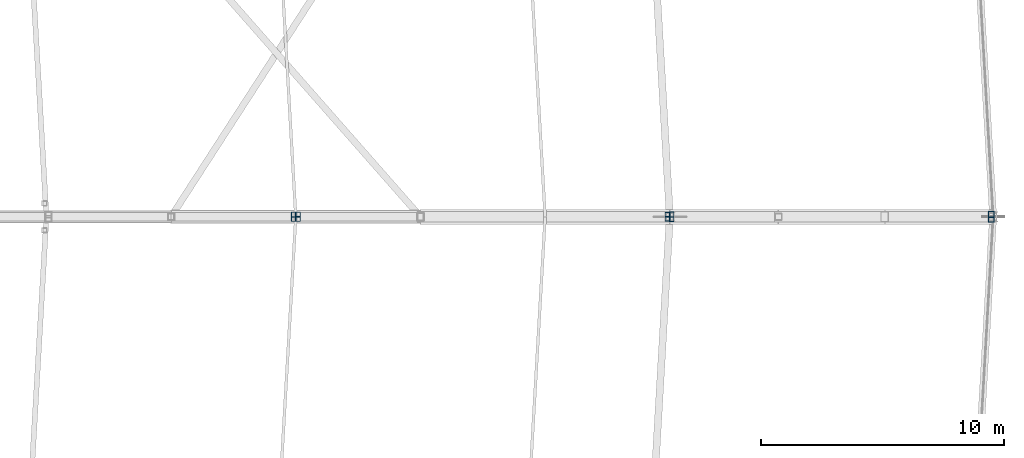
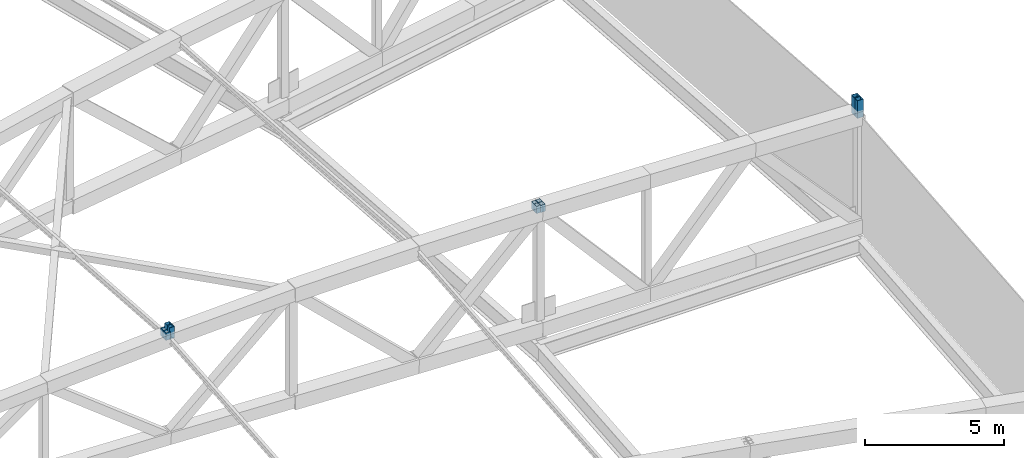
# One storey, part 120 of 162: 10 members.
"""IFC4 building model written with IfcOpenShell, lengths in metres."""

from ifc_helpers import new_model, si_unit, direction, frame, origin, origin_2d, place, context, subcontext, project, spatial, hollow_rectangle, extrude, material, material_profile, profile_set, type_object, element, save


model = new_model("IFC4")

# Units and contexts
model_context = context("Model", 3, precision=1e-05, world=origin(), true_north=direction((0.0, 1.0)))
body_context = subcontext(model_context, "Body", "Model", "MODEL_VIEW")
ifc_project = project(units=[si_unit("LENGTHUNIT", "METRE"), si_unit("AREAUNIT", "SQUARE_METRE"), si_unit("VOLUMEUNIT", "CUBIC_METRE"), si_unit("PLANEANGLEUNIT", "RADIAN"), si_unit("MASSUNIT", "GRAM", prefix="KILO")], contexts=[model_context])

# Site, building, storey
site_placement = place(None, origin())
site = spatial("IfcSite", under=ifc_project, at=site_placement, CompositionType="ELEMENT")
building_placement = place(site_placement, origin())
building = spatial("IfcBuilding", under=site, at=building_placement, Name="Kazemori Nagisa Stadium", CompositionType="ELEMENT")
storey_placement = place(building_placement, frame((0.0, 0.0, 36.719970703125)))
storey = spatial("IfcBuildingStorey", under=building, at=storey_placement, Name="RF", CompositionType="ELEMENT", Elevation=36.719970703125)

# Members
ifc_material = material(Name="Steel STKR490", Category="steel")
ifc_material_profile_1 = material_profile(ifc_material, hollow_rectangle(XDim=0.25, YDim=0.25, WallThickness=0.011962890625, at=origin_2d()), Name="SHS-250x250x12")
ifc_profile_set_1 = profile_set([ifc_material_profile_1], Name="Steel STKR490")
member_type_1 = type_object("IfcMemberType", Name="Member_ST-SHS250", PredefinedType="STUD", material=ifc_profile_set_1)
for number, where, z_axis, x_axis, name in (
    (1, (217.92529296875, 102.093994140625, 5.10009765625), (0.0, 0.0, 1.0), (1.0, 0.0, 0.0), "Canopy bearing stool B01-outer-1"),
    (2, (217.92529296875, 101.906005859375, 5.10009765625), (0.0, 0.0, 1.0), (1.0, 0.0, 0.0), "Canopy bearing stool B28-outer-2"),
):
    element("IfcMember", number, at=place(storey_placement, frame(where, z_axis=z_axis, x_axis=x_axis)), inside=storey, type_object=member_type_1, Name=name, PredefinedType="STUD", context=body_context, shape_type="SweptSolid", body=[
        extrude(hollow_rectangle(XDim=0.25, YDim=0.25, WallThickness=0.011962890625, at=origin_2d()), origin(), (0.0, 0.0, 1.0), 0.77490234375),
    ])
ifc_material_profile_2 = material_profile(ifc_material, hollow_rectangle(XDim=0.199951171875, YDim=0.199951171875, WallThickness=0.009033203125, at=origin_2d()), Name="SHS-200x200x9")
ifc_profile_set_2 = profile_set([ifc_material_profile_2], Name="Steel STKR490")
member_type_2 = type_object("IfcMemberType", Name="Member_TS-SHS200", PredefinedType="STRUT", material=ifc_profile_set_2)
for number, where, z_axis, x_axis, name in (
    (3, (204.767333984375, 102.099365234375, 5.56005859375), (0.0, 0.0, 1.0), (1.0, 0.0, 0.0), "Canopy bearing stool B01-outer-4"),
    (4, (204.612060546875, 102.081787109375, 5.56005859375), (0.0, 0.0, 1.0), (1.0, 0.0, 0.0), "Canopy bearing stool B01-mid-1"),
):
    element("IfcMember", number, at=place(storey_placement, frame(where, z_axis=z_axis, x_axis=x_axis)), inside=storey, type_object=member_type_2, Name=name, PredefinedType="STRUT", context=body_context, shape_type="SweptSolid", body=[
        extrude(hollow_rectangle(XDim=0.199951171875, YDim=0.199951171875, WallThickness=0.009033203125, at=origin_2d()), origin(), (0.0, 0.0, 1.0), 0.31494140625),
    ])
member_1_placement = place(storey_placement, frame((189.39306640625, 102.08642578125, 5.380126953125), z_axis=(0.0, 0.0, 1.0), x_axis=(1.0, 0.0, 0.0)))
element("IfcMember", 5, at=member_1_placement, inside=storey, type_object=member_type_2, Name="Canopy bearing stool B01-mid-4", PredefinedType="STRUT", context=body_context, shape_type="SweptSolid", body=[
    extrude(hollow_rectangle(XDim=0.199951171875, YDim=0.199951171875, WallThickness=0.009033203125, at=origin_2d()), origin(), (0.0, 0.0, 1.0), 0.494873046875),
])
member_2_placement = place(storey_placement, frame((189.230712890625, 102.090087890625, 5.380126953125), z_axis=(0.0, 0.0, 1.0), x_axis=(1.0, 0.0, 0.0)))
element("IfcMember", 6, at=member_2_placement, inside=storey, type_object=member_type_2, Name="Canopy bearing stool B01-inner-1", PredefinedType="STRUT", context=body_context, shape_type="SweptSolid", body=[
    extrude(hollow_rectangle(XDim=0.199951171875, YDim=0.199951171875, WallThickness=0.009033203125, at=origin_2d()), origin(), (0.0, 0.0, 1.0), 0.3330078125),
])
for number, where, z_axis, x_axis, name in (
    (7, (204.767333984375, 101.900634765625, 5.56005859375), (0.0, 0.0, 1.0), (1.0, 0.0, 0.0), "Canopy bearing stool B28-outer-3"),
    (8, (204.612060546875, 101.918212890625, 5.56005859375), (0.0, 0.0, 1.0), (1.0, 0.0, 0.0), "Canopy bearing stool B28-mid-2"),
):
    element("IfcMember", number, at=place(storey_placement, frame(where, z_axis=z_axis, x_axis=x_axis)), inside=storey, type_object=member_type_2, Name=name, PredefinedType="STRUT", context=body_context, shape_type="SweptSolid", body=[
        extrude(hollow_rectangle(XDim=0.199951171875, YDim=0.199951171875, WallThickness=0.009033203125, at=origin_2d()), origin(), (0.0, 0.0, 1.0), 0.31494140625),
    ])
member_3_placement = place(storey_placement, frame((189.39306640625, 101.91357421875, 5.380126953125), z_axis=(0.0, 0.0, 1.0), x_axis=(1.0, 0.0, 0.0)))
element("IfcMember", 9, at=member_3_placement, inside=storey, type_object=member_type_2, Name="Canopy bearing stool B28-mid-3", PredefinedType="STRUT", context=body_context, shape_type="SweptSolid", body=[
    extrude(hollow_rectangle(XDim=0.199951171875, YDim=0.199951171875, WallThickness=0.009033203125, at=origin_2d()), origin(), (0.0, 0.0, 1.0), 0.494873046875),
])
member_4_placement = place(storey_placement, frame((189.230712890625, 101.909912109375, 5.380126953125), z_axis=(0.0, 0.0, 1.0), x_axis=(1.0, 0.0, 0.0)))
element("IfcMember", 10, at=member_4_placement, inside=storey, type_object=member_type_2, Name="Canopy bearing stool B28-inner-2", PredefinedType="STRUT", context=body_context, shape_type="SweptSolid", body=[
    extrude(hollow_rectangle(XDim=0.199951171875, YDim=0.199951171875, WallThickness=0.009033203125, at=origin_2d()), origin(), (0.0, 0.0, 1.0), 0.3330078125),
])

save(model, "model.ifc")
